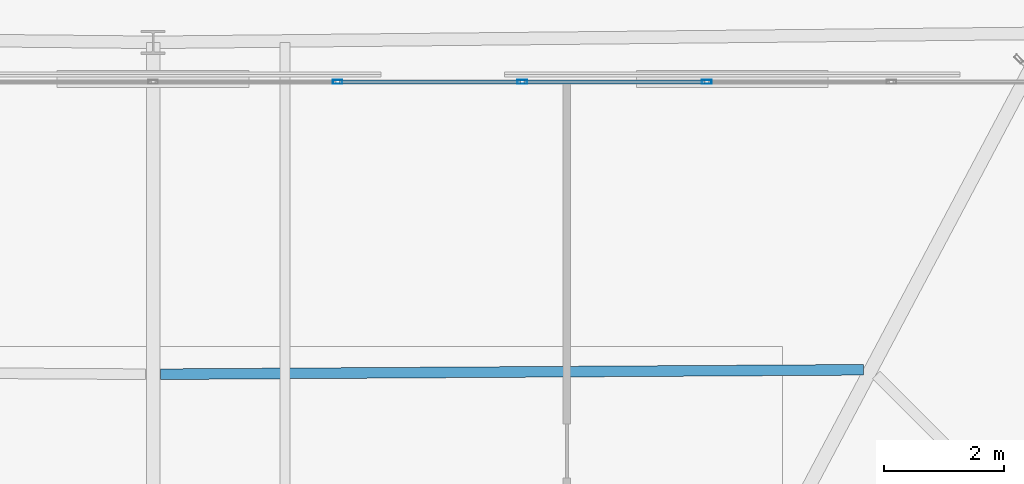
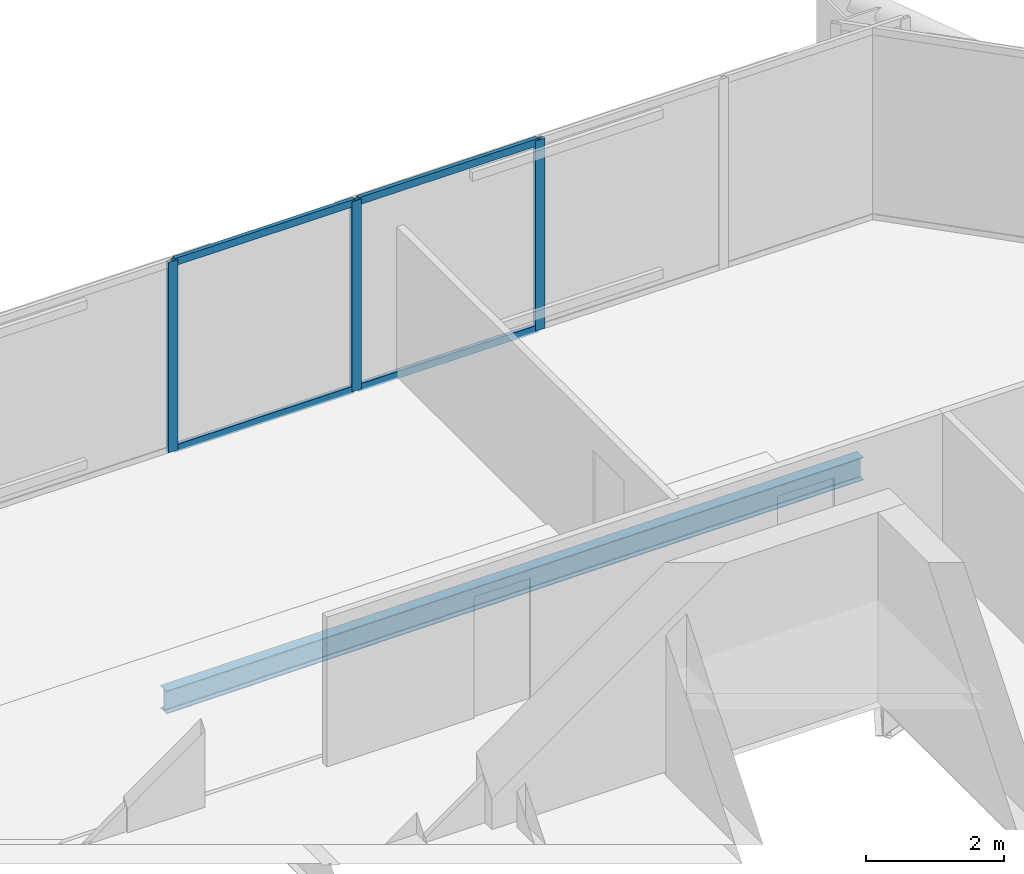
# One storey, part 31 of 39: 7 members, 1 beam, 1 element without a shape of its own.
"""IFC4 building model written with IfcOpenShell, lengths in metres."""

from ifc_helpers import new_model, si_unit, direction, frame, origin, origin_2d, place, context, subcontext, project, spatial, hollow_rectangle, i_section, extrude, material, layer, layer_set, material_profile, profile_set, type_object, element, aggregate, save


model = new_model("IFC4")

# Units and contexts
model_context = context("Model", 3, precision=1e-05, world=origin(), true_north=direction((0.0, 1.0)))
body_context = subcontext(model_context, "Body", "Model", "MODEL_VIEW")
ifc_project = project(units=[si_unit("LENGTHUNIT", "METRE"), si_unit("AREAUNIT", "SQUARE_METRE"), si_unit("VOLUMEUNIT", "CUBIC_METRE"), si_unit("PLANEANGLEUNIT", "RADIAN"), si_unit("MASSUNIT", "GRAM", prefix="KILO")], contexts=[model_context])

# Site, building, storey
site_placement = place(None, origin())
site = spatial("IfcSite", under=ifc_project, at=site_placement, CompositionType="ELEMENT")
building_placement = place(site_placement, origin())
building = spatial("IfcBuilding", under=site, at=building_placement, Name="Caelvoria Tower", CompositionType="ELEMENT")
storey_placement = place(building_placement, frame((0.0, 0.0, 198.60009765625)))
storey = spatial("IfcBuildingStorey", under=building, at=storey_placement, Name="L52", CompositionType="ELEMENT", Elevation=198.60009765625)

# Curtain wall, members
ifc_material_1 = material(Name="Anodised Bronze Aluminium and Low-E Glass", Category="aluminium")
ifc_layer = layer(ifc_material_1, 0.175048828125, Name="Anodised Bronze Aluminium and Low-E Glass")
ifc_layer_set = layer_set([ifc_layer], Name="CW System 4 High-Zone Tapered Crystal Facade - Anodised Bronze Aluminium and Low-E Glass")
curtain_wall_type = type_object("IfcCurtainWallType", Name="CW System 4 High-Zone Tapered Crystal Facade", PredefinedType="NOTDEFINED", material=ifc_layer_set)
curtain_wall_placement = place(storey_placement, origin())
curtain_wall = element("IfcCurtainWall", 1, at=curtain_wall_placement, inside=storey, type_object=curtain_wall_type, Name="CW-04 Curtain Wall L52-E4", PredefinedType="NOTDEFINED")
ifc_material_2 = material(Name="Anodised Bronze Architectural Aluminium", Category="aluminium")
ifc_material_profile_1 = material_profile(ifc_material_2, hollow_rectangle(XDim=0.06494140625, YDim=0.159912109375, WallThickness=0.00390625, at=origin_2d()), Name="Anodised Bronze Architectural Aluminium")
ifc_profile_set_1 = profile_set([ifc_material_profile_1], Name="CW_MULL_65X160 - Anodised Bronze Architectural Aluminium")
member_type_1 = type_object("IfcMemberType", Name="Curtain Wall Mullion 65x160 Bronze Aluminium", PredefinedType="MULLION", material=ifc_profile_set_1)
member_1_placement = place(storey_placement, frame((55.239990234375, 50.419921875, 0.0), z_axis=(0.0, 0.0, 1.0), x_axis=(0.0, -1.0, 0.0)))
member_1 = element("IfcMember", 2, at=member_1_placement, type_object=member_type_1, Name="CW-04 mullion 3", PredefinedType="MULLION", context=body_context, shape_type="SweptSolid", body=[
    extrude(hollow_rectangle(XDim=0.06494140625, YDim=0.159912109375, WallThickness=0.00390625, at=origin_2d()), origin(), (0.0, 0.0, 1.0), 3.375),
])
member_2_placement = place(storey_placement, frame((52.159912109375, 50.419921875, 0.0), z_axis=(0.0, 0.0, 1.0), x_axis=(0.0, -1.0, 0.0)))
member_2 = element("IfcMember", 3, at=member_2_placement, type_object=member_type_1, Name="CW-04 mullion 4", PredefinedType="MULLION", context=body_context, shape_type="SweptSolid", body=[
    extrude(hollow_rectangle(XDim=0.06494140625, YDim=0.159912109375, WallThickness=0.00390625, at=origin_2d()), origin(), (0.0, 0.0, 1.0), 3.375),
])
member_3_placement = place(storey_placement, frame((49.080078125, 50.419921875, 0.0), z_axis=(0.0, 0.0, 1.0), x_axis=(0.0, -1.0, 0.0)))
member_3 = element("IfcMember", 4, at=member_3_placement, type_object=member_type_1, Name="CW-04 mullion 5", PredefinedType="MULLION", context=body_context, shape_type="SweptSolid", body=[
    extrude(hollow_rectangle(XDim=0.06494140625, YDim=0.159912109375, WallThickness=0.00390625, at=origin_2d()), origin(), (0.0, 0.0, 1.0), 3.375),
])
ifc_material_profile_2 = material_profile(ifc_material_2, hollow_rectangle(XDim=0.06494140625, YDim=0.1298828125, WallThickness=0.00341796875, at=origin_2d()), Name="Anodised Bronze Architectural Aluminium")
ifc_profile_set_2 = profile_set([ifc_material_profile_2], Name="CW_TRAN_65X130 - Anodised Bronze Architectural Aluminium")
member_type_2 = type_object("IfcMemberType", Name="Curtain Wall Transom 65x130 Bronze Aluminium", PredefinedType="USERDEFINED", material=ifc_profile_set_2)
member_4_placement = place(storey_placement, frame((55.20751953125, 50.419921875, 0.032470703125), z_axis=(-1.0, 0.0, 0.0), x_axis=(0.0, -1.0, 0.0)))
member_4 = element("IfcMember", 5, at=member_4_placement, type_object=member_type_2, Name="CW-04 transom 3.1", ObjectType="TRANSOM", PredefinedType="USERDEFINED", context=body_context, shape_type="SweptSolid", body=[
    extrude(hollow_rectangle(XDim=0.06494140625, YDim=0.1298828125, WallThickness=0.00341796875, at=origin_2d()), origin(), (0.0, 0.0, 1.0), 3.01513671875),
])
member_5_placement = place(storey_placement, frame((55.20751953125, 50.419921875, 3.34228515625), z_axis=(-1.0, 0.0, 0.0), x_axis=(0.0, -1.0, 0.0)))
member_5 = element("IfcMember", 6, at=member_5_placement, type_object=member_type_2, Name="CW-04 transom 3.2", ObjectType="TRANSOM", PredefinedType="USERDEFINED", context=body_context, shape_type="SweptSolid", body=[
    extrude(hollow_rectangle(XDim=0.06494140625, YDim=0.1298828125, WallThickness=0.00341796875, at=origin_2d()), origin(), (0.0, 0.0, 1.0), 3.01513671875),
])
member_6_placement = place(storey_placement, frame((52.12744140625, 50.419921875, 0.032470703125), z_axis=(-1.0, 0.0, 0.0), x_axis=(0.0, -1.0, 0.0)))
member_6 = element("IfcMember", 7, at=member_6_placement, type_object=member_type_2, Name="CW-04 transom 4.1", ObjectType="TRANSOM", PredefinedType="USERDEFINED", context=body_context, shape_type="SweptSolid", body=[
    extrude(hollow_rectangle(XDim=0.06494140625, YDim=0.1298828125, WallThickness=0.00341796875, at=origin_2d()), origin(), (0.0, 0.0, 1.0), 3.014892578125),
])
member_7_placement = place(storey_placement, frame((52.12744140625, 50.419921875, 3.34228515625), z_axis=(-1.0, 0.0, 0.0), x_axis=(0.0, -1.0, 0.0)))
member_7 = element("IfcMember", 8, at=member_7_placement, type_object=member_type_2, Name="CW-04 transom 4.2", ObjectType="TRANSOM", PredefinedType="USERDEFINED", context=body_context, shape_type="SweptSolid", body=[
    extrude(hollow_rectangle(XDim=0.06494140625, YDim=0.1298828125, WallThickness=0.00341796875, at=origin_2d()), origin(), (0.0, 0.0, 1.0), 3.014892578125),
])
aggregate(curtain_wall, [member_1, member_2, member_3, member_4, member_5, member_6, member_7])

# Beam
ifc_material_3 = material(Name="Structural Steel ASTM A992 Gr.50", Category="steel")
ifc_material_profile_3 = material_profile(ifc_material_3, i_section(OverallWidth=0.177978515625, OverallDepth=0.406982421875, WebThickness=0.0078125, FlangeThickness=0.0126953125, FilletRadius=0.013916015625, at=origin_2d()), Name="Structural Steel ASTM A992 Gr.50")
ifc_profile_set_3 = profile_set([ifc_material_profile_3], Name="W410X60 - Structural Steel ASTM A992 Gr.50")
beam_type = type_object("IfcBeamType", Name="Secondary Floor Beam W410X60", PredefinedType="BEAM", material=ifc_profile_set_3)
beam_placement = place(storey_placement, frame((57.85400390625, 45.614990234375, -0.4287109375), z_axis=(-0.999979980097, -0.00632766983, 0.0), x_axis=(0.00632766983, -0.999979980097, 0.0)))
element("IfcBeam", 9, at=beam_placement, inside=storey, type_object=beam_type, Name="Secondary Floor Beam L52-06", PredefinedType="BEAM", context=body_context, shape_type="SweptSolid", body=[
    extrude(i_section(OverallWidth=0.177978515625, OverallDepth=0.406982421875, WebThickness=0.0078125, FlangeThickness=0.0126953125, FilletRadius=0.013916015625, at=origin_2d()), origin(), (0.0, 0.0, 1.0), 11.729248046875),
])

save(model, "model.ifc")
